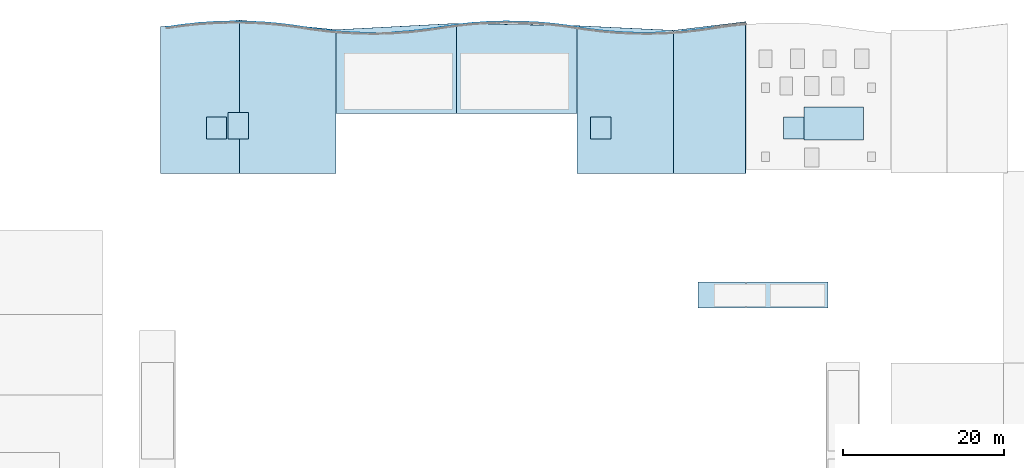
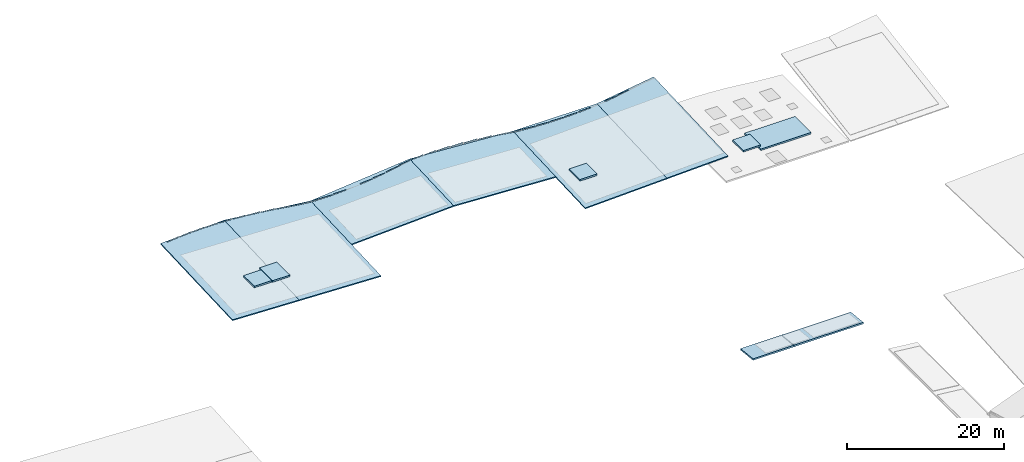
# One storey, part 4 of 11: 32 plates, 13 slabs.
"""IFC4 building model written with IfcOpenShell, lengths in metres."""

import ifcopenshell
import ifcopenshell.guid

model = None  # the IFC model being written
_history = None  # IfcOwnerHistory: only IFC2X3 demands one
_inside = {}  # id of a spatial element -> (the spatial element, [elements in it])
_under = {}  # id of a project, library or spatial element -> (it, [spatial elements below it])
_declared = {}  # id of a project -> (the project, [libraries it declares])
_typed = {}  # id of a type object -> (the type object, [elements of that type])
_made_of = {}  # id of a material, layer set ... -> (it, [elements and type objects made of it])


def new_model(schema):
    """Start an empty IFC model of exactly this schema.

    Asked for "IFC4X3", IfcOpenShell would pick the latest addendum, in which some entities
    have other attributes; the version numbers below select the first issue.
    IFC2X3 requires an IfcOwnerHistory on every rooted entity: one is made here for all.
    """
    global model, _history
    if schema == "IFC4X3":
        model = ifcopenshell.file(schema_version=(4, 3, 0, 0))
    else:
        model = ifcopenshell.file(schema=schema)
    _inside.clear()
    _under.clear()
    _declared.clear()
    _typed.clear()
    _made_of.clear()
    _history = None
    if model.schema == "IFC2X3":
        org = make("IfcOrganization", Name="unknown")
        user = make(
            "IfcPersonAndOrganization",
            ThePerson=make("IfcPerson", FamilyName="unknown"),
            TheOrganization=org,
        )
        app = make(
            "IfcApplication",
            ApplicationDeveloper=org,
            Version="unknown",
            ApplicationFullName="unknown",
            ApplicationIdentifier="unknown",
        )
        _history = make(
            "IfcOwnerHistory",
            OwningUser=user,
            OwningApplication=app,
            ChangeAction="ADDED",
            CreationDate=0,
        )
    return model


def make(cls, **values):
    """One entity of the class cls with the attributes given. An attribute that is None is left unset."""
    return model.create_entity(
        cls, **{name: value for name, value in values.items() if value is not None}
    )


def rooted(cls, **values):
    """An entity with a GlobalId (a new one), such as an element, a storey or a relation."""
    return make(cls, GlobalId=ifcopenshell.guid.new(), OwnerHistory=_history, **values)


def si_unit(unit_type, name, prefix=None):
    """IfcSIUnit, for example si_unit("LENGTHUNIT", "METRE", prefix="MILLI")."""
    return make("IfcSIUnit", UnitType=unit_type, Prefix=prefix, Name=name)


def assignment(units):
    """IfcUnitAssignment: the units of a project."""
    return None if units is None else make("IfcUnitAssignment", Units=units)


def point(xyz):
    """IfcCartesianPoint."""
    return None if xyz is None else make("IfcCartesianPoint", Coordinates=xyz)


def direction(xyz):
    """IfcDirection."""
    return None if xyz is None else make("IfcDirection", DirectionRatios=xyz)


def frame(location, z_axis=None, x_axis=None):
    """IfcAxis2Placement3D, a coordinate frame: its origin and axes. An axis left out is left unset."""
    return make(
        "IfcAxis2Placement3D",
        Location=point(location),
        Axis=direction(z_axis),
        RefDirection=direction(x_axis),
    )


def frame_2d(location, x_axis=None):
    """IfcAxis2Placement2D, a coordinate frame in the plane: its origin and x axis."""
    return make(
        "IfcAxis2Placement2D", Location=point(location), RefDirection=direction(x_axis)
    )


def origin():
    """The frame at (0, 0, 0) with its axes left unset."""
    return frame((0.0, 0.0, 0.0))


def origin_2d():
    """The frame at (0, 0) in the plane with its x axis left unset."""
    return frame_2d((0.0, 0.0))


def place(relative_to, where):
    """IfcLocalPlacement: puts the frame where relative to a parent placement (None: the world)."""
    return make(
        "IfcLocalPlacement", PlacementRelTo=relative_to, RelativePlacement=where
    )


def context(
    kind, dimensions, precision=None, world=None, true_north=None, identifier=None
):
    """IfcGeometricRepresentationContext, for example the 3D "Model" context."""
    return make(
        "IfcGeometricRepresentationContext",
        ContextIdentifier=identifier,
        ContextType=kind,
        CoordinateSpaceDimension=dimensions,
        Precision=precision,
        WorldCoordinateSystem=world,
        TrueNorth=true_north,
    )


def subcontext(parent, identifier, kind, view, scale=None):
    """IfcGeometricRepresentationSubContext, for example "Body" below "Model"."""
    return make(
        "IfcGeometricRepresentationSubContext",
        ContextIdentifier=identifier,
        ContextType=kind,
        ParentContext=parent,
        TargetScale=scale,
        TargetView=view,
    )


def project(units=None, contexts=None):
    """IfcProject with its units and contexts."""
    return rooted(
        "IfcProject",
        Name="project",
        RepresentationContexts=contexts,
        UnitsInContext=assignment(units),
    )


def spatial(cls, under=None, at=None, **own):
    """A site, building, storey or space (cls), placed at a placement, below another one or the project."""
    s = rooted(cls, ObjectPlacement=at, **own)
    if under is not None:
        _under.setdefault(under.id(), (under, []))[1].append(s)
    return s


def polyline(points):
    """IfcPolyline through the points."""
    return make("IfcPolyline", Points=[point(p) for p in points])


def profile(cls, at=None, kind="AREA", **sizes):
    """A parametric profile (cls). Its sizes go by their IFC names, for example OverallWidth=200.0."""
    return make(cls, ProfileType=kind, Position=at, **sizes)


def rectangle(**sizes):
    """IfcRectangleProfileDef."""
    return profile("IfcRectangleProfileDef", **sizes)


def outline(outer, holes=None, kind="AREA"):
    """IfcArbitraryClosedProfileDef: a profile drawn as a closed curve; with holes, ...WithVoids."""
    if holes is None:
        return make("IfcArbitraryClosedProfileDef", ProfileType=kind, OuterCurve=outer)
    return make(
        "IfcArbitraryProfileDefWithVoids",
        ProfileType=kind,
        OuterCurve=outer,
        InnerCurves=holes,
    )


def extrude(swept, where, along, depth):
    """IfcExtrudedAreaSolid: the profile swept, set in the frame where, extruded along a direction by depth."""
    return make(
        "IfcExtrudedAreaSolid",
        SweptArea=swept,
        Position=where,
        ExtrudedDirection=direction(along),
        Depth=depth,
    )


def shape(context_of_items, identifier, shape_type, items):
    """IfcShapeRepresentation: the items that make up one representation, for example the "Body"."""
    return make(
        "IfcShapeRepresentation",
        ContextOfItems=context_of_items,
        RepresentationIdentifier=identifier,
        RepresentationType=shape_type,
        Items=items,
    )


def material(Name=None, Category=None):
    """IfcMaterial."""
    return make("IfcMaterial", Name=Name, Category=Category)


def layer(
    of_material, thickness, ventilated=None, Name=None, Category=None, Priority=None
):
    """IfcMaterialLayer: one layer of a wall or slab, of a material (None: an air gap)."""
    return make(
        "IfcMaterialLayer",
        Material=of_material,
        LayerThickness=thickness,
        IsVentilated=ventilated,
        Name=Name,
        Category=Category,
        Priority=Priority,
    )


def layer_set(layers, Name=None):
    """IfcMaterialLayerSet."""
    return make("IfcMaterialLayerSet", MaterialLayers=layers, LayerSetName=Name)


def made_of(thing, what):
    """Note that an element or type object is made of a material, layer set ...; save() writes the relation."""
    if what is not None:
        _made_of.setdefault(what.id(), (what, []))[1].append(thing)
    return thing


def type_object(cls, material=None, **own):
    """A type object (cls), such as IfcWallType, which elements share."""
    return made_of(rooted(cls, **own), material)


def element(
    cls,
    number,
    at=None,
    inside=None,
    cuts=None,
    type_object=None,
    material=None,
    context=None,
    identifier="Body",
    shape_type=None,
    held_by="IfcProductDefinitionShape",
    body=None,
    shapes=None,
    **own,
):
    """One element of the class cls, such as IfcWall. Its Tag is "e" and its number.

    at: its placement. inside: the storey or other place that contains it. cuts: it is an
    opening in that element (IfcRelVoidsElement). A single representation is given by context,
    identifier, shape_type and body (its items); several are given by shapes. held_by: the class
    of the entity that holds the representations. save() writes the other relations.
    """
    e = rooted(cls, Tag="e%d" % number, ObjectPlacement=at, **own)
    if body is not None:
        shapes = [shape(context, identifier, shape_type, body)]
    if shapes is not None:
        e.Representation = make(held_by, Representations=shapes)
    if inside is not None:
        _inside.setdefault(inside.id(), (inside, []))[1].append(e)
    if cuts is not None:
        rooted(
            "IfcRelVoidsElement", RelatingBuildingElement=cuts, RelatedOpeningElement=e
        )
    if type_object is not None:
        _typed.setdefault(type_object.id(), (type_object, []))[1].append(e)
    return made_of(e, material)


def aggregate(whole, parts):
    """IfcRelAggregates: a whole, such as a stair, and the parts it consists of."""
    return rooted("IfcRelAggregates", RelatingObject=whole, RelatedObjects=parts)


def save(model, path):
    """Write the relations noted so far, then the file.

    IfcRelAggregates (storeys below a building ...), IfcRelContainedInSpatialStructure (elements
    in a storey), IfcRelDefinesByType, IfcRelAssociatesMaterial and IfcRelDeclares: one each for
    every whole, place, type object, material and project.
    """
    for whole, parts in _under.values():
        aggregate(whole, parts)
    for where, things in _inside.values():
        rooted(
            "IfcRelContainedInSpatialStructure",
            RelatedElements=things,
            RelatingStructure=where,
        )
    for kind, things in _typed.values():
        rooted("IfcRelDefinesByType", RelatedObjects=things, RelatingType=kind)
    for what, things in _made_of.values():
        rooted("IfcRelAssociatesMaterial", RelatedObjects=things, RelatingMaterial=what)
    for by, libraries in _declared.values():
        rooted("IfcRelDeclares", RelatingContext=by, RelatedDefinitions=libraries)
    model.write(path)


model = new_model("IFC4")

# Units and contexts
model_context = context("Model", 3, precision=1e-05, world=origin(), true_north=direction((0.0, 1.0)))
body_context = subcontext(model_context, "Body", "Model", "MODEL_VIEW")
ifc_project = project(units=[si_unit("LENGTHUNIT", "METRE"), si_unit("AREAUNIT", "SQUARE_METRE"), si_unit("VOLUMEUNIT", "CUBIC_METRE"), si_unit("PLANEANGLEUNIT", "RADIAN"), si_unit("MASSUNIT", "GRAM", prefix="KILO")], contexts=[model_context])

# Site, building, storey
site_placement = place(None, origin())
site = spatial("IfcSite", under=ifc_project, at=site_placement, CompositionType="ELEMENT")
building_placement = place(site_placement, origin())
building = spatial("IfcBuilding", under=site, at=building_placement, Name="Tonlespit Floodbar School", CompositionType="ELEMENT")
storey_placement = place(building_placement, frame((0.0, 0.0, 24.0)))
storey = spatial("IfcBuildingStorey", under=building, at=storey_placement, Name="RF", CompositionType="ELEMENT", Elevation=24.0)

# Plates
ifc_material_1 = material(Name="White Architectural Aluminium", Category="aluminium")
ifc_layer_1 = layer(ifc_material_1, 0.06494140625)
ifc_layer_set_1 = layer_set([ifc_layer_1], Name="White Architectural Aluminium")
plate_type = type_object("IfcPlateType", Name="FacadeRibbon_White_65", PredefinedType="SHEET", material=ifc_layer_set_1)
plate_1_placement = place(storey_placement, frame((44.98828125, 121.77685546875, 0.641357421875), z_axis=(0.0, 0.0, 1.0), x_axis=(0.989537627347, 0.144275029245, 0.0)))
element("IfcPlate", 1, at=plate_1_placement, inside=storey, type_object=plate_type, Name="RF flowing white street spandrel ribbon 0381", PredefinedType="SHEET", context=body_context, shape_type="SweptSolid", body=[
    extrude(rectangle(XDim=1.861083984375, YDim=0.06494140625, at=origin_2d()), origin(), (0.0, 0.0, 1.0), 0.580078125),
])
plate_2_placement = place(storey_placement, frame((46.9912109375, 122.029541015625, 0.578857421875), z_axis=(0.0, 0.0, 1.0), x_axis=(0.99439234017, 0.105753835922, 0.0)))
element("IfcPlate", 2, at=plate_2_placement, inside=storey, type_object=plate_type, Name="RF flowing white street spandrel ribbon 0383", PredefinedType="SHEET", context=body_context, shape_type="SweptSolid", body=[
    extrude(rectangle(XDim=1.851318359375, YDim=0.06494140625, at=origin_2d()), origin(), (0.0, 0.0, 1.0), 0.580078125),
])
plate_3_placement = place(storey_placement, frame((48.994384765625, 122.20361328125, 0.51318359375), z_axis=(0.0, 0.0, 1.0), x_axis=(0.997729639049, 0.067346621018, 0.0)))
element("IfcPlate", 3, at=plate_3_placement, inside=storey, type_object=plate_type, Name="RF flowing white street spandrel ribbon 0385", PredefinedType="SHEET", context=body_context, shape_type="SweptSolid", body=[
    extrude(rectangle(XDim=1.844482421875, YDim=0.06494140625, at=origin_2d()), origin(), (0.0, 0.0, 1.0), 0.580078125),
])
plate_4_placement = place(storey_placement, frame((50.99755859375, 122.300048828125, 0.444091796875), z_axis=(0.0, 0.0, 1.0), x_axis=(0.999584110869, 0.02883756748, 0.0)))
element("IfcPlate", 4, at=plate_4_placement, inside=storey, type_object=plate_type, Name="RF flowing white street spandrel ribbon 0387", PredefinedType="SHEET", context=body_context, shape_type="SweptSolid", body=[
    extrude(rectangle(XDim=1.8408203125, YDim=0.06494140625, at=origin_2d()), origin(), (0.0, 0.0, 1.0), 0.580078125),
])
plate_5_placement = place(storey_placement, frame((53.000732421875, 122.3193359375, 0.371826171875), z_axis=(0.0, 0.0, 1.0), x_axis=(0.999953926969, -0.009599163462, 0.0)))
element("IfcPlate", 5, at=plate_5_placement, inside=storey, type_object=plate_type, Name="RF flowing white street spandrel ribbon 0389", PredefinedType="SHEET", context=body_context, shape_type="SweptSolid", body=[
    extrude(rectangle(XDim=1.840087890625, YDim=0.06494140625, at=origin_2d()), origin(), (0.0, 0.0, 1.0), 0.580078125),
])
plate_6_placement = place(storey_placement, frame((55.00390625, 122.26171875, 0.296142578125), z_axis=(0.0, 0.0, 1.0), x_axis=(0.998842769234, -0.048094930587, 0.0)))
element("IfcPlate", 6, at=plate_6_placement, inside=storey, type_object=plate_type, Name="RF flowing white street spandrel ribbon 0391", PredefinedType="SHEET", context=body_context, shape_type="SweptSolid", body=[
    extrude(rectangle(XDim=1.84228515625, YDim=0.06494140625, at=origin_2d()), origin(), (0.0, 0.0, 1.0), 0.580078125),
])
plate_7_placement = place(storey_placement, frame((57.007080078125, 122.126220703125, 0.217041015625), z_axis=(0.0, 0.0, 1.0), x_axis=(0.996245486492, -0.086573267488, 0.0)))
element("IfcPlate", 7, at=plate_7_placement, inside=storey, type_object=plate_type, Name="RF flowing white street spandrel ribbon 0393", PredefinedType="SHEET", context=body_context, shape_type="SweptSolid", body=[
    extrude(rectangle(XDim=1.847412109375, YDim=0.06494140625, at=origin_2d()), origin(), (0.0, 0.0, 1.0), 0.580078125),
])
plate_8_placement = place(storey_placement, frame((59.01025390625, 121.9130859375, 0.134521484375), z_axis=(0.0, 0.0, 1.0), x_axis=(0.99215533612, -0.125011155539, 0.0)))
element("IfcPlate", 8, at=plate_8_placement, inside=storey, type_object=plate_type, Name="RF flowing white street spandrel ribbon 0395", PredefinedType="SHEET", context=body_context, shape_type="SweptSolid", body=[
    extrude(rectangle(XDim=1.855712890625, YDim=0.06494140625, at=origin_2d()), origin(), (0.0, 0.0, 1.0), 0.580078125),
])
plate_9_placement = place(storey_placement, frame((61.0126953125, 121.631103515625, 0.049560546875), z_axis=(0.0, 0.0, 1.0), x_axis=(0.988094768361, -0.153846445322, 0.0)))
element("IfcPlate", 9, at=plate_9_placement, inside=storey, type_object=plate_type, Name="RF flowing white street spandrel ribbon 0397", PredefinedType="SHEET", context=body_context, shape_type="SweptSolid", body=[
    extrude(rectangle(XDim=1.864013671875, YDim=0.06494140625, at=origin_2d()), origin(), (0.0, 0.0, 1.0), 0.580078125),
])
plate_10_placement = place(storey_placement, frame((63.01025390625, 121.349609375, -0.032958984375), z_axis=(0.0, 0.0, 1.0), x_axis=(0.99215533612, -0.125011155539, 0.0)))
element("IfcPlate", 10, at=plate_10_placement, inside=storey, type_object=plate_type, Name="RF flowing white street spandrel ribbon 0399", PredefinedType="SHEET", context=body_context, shape_type="SweptSolid", body=[
    extrude(rectangle(XDim=1.855712890625, YDim=0.06494140625, at=origin_2d()), origin(), (0.0, 0.0, 1.0), 0.580078125),
])
plate_11_placement = place(storey_placement, frame((65.007080078125, 121.13720703125, -0.032958984375), z_axis=(0.0, 0.0, 1.0), x_axis=(0.996245486492, -0.086573267488, 0.0)))
element("IfcPlate", 11, at=plate_11_placement, inside=storey, type_object=plate_type, Name="RF flowing white street spandrel ribbon 0401", PredefinedType="SHEET", context=body_context, shape_type="SweptSolid", body=[
    extrude(rectangle(XDim=1.847412109375, YDim=0.06494140625, at=origin_2d()), origin(), (0.0, 0.0, 1.0), 0.580078125),
])
plate_12_placement = place(storey_placement, frame((67.00390625, 121.002197265625, -0.02685546875), z_axis=(0.0, 0.0, 1.0), x_axis=(0.998842769234, -0.048094930587, 0.0)))
element("IfcPlate", 12, at=plate_12_placement, inside=storey, type_object=plate_type, Name="RF flowing white street spandrel ribbon 0403", PredefinedType="SHEET", context=body_context, shape_type="SweptSolid", body=[
    extrude(rectangle(XDim=1.84228515625, YDim=0.06494140625, at=origin_2d()), origin(), (0.0, 0.0, 1.0), 0.580078125),
])
plate_13_placement = place(storey_placement, frame((69.000732421875, 120.944580078125, 0.06787109375), z_axis=(0.0, 0.0, 1.0), x_axis=(0.999953926969, -0.009599163462, 0.0)))
element("IfcPlate", 13, at=plate_13_placement, inside=storey, type_object=plate_type, Name="RF flowing white street spandrel ribbon 0405", PredefinedType="SHEET", context=body_context, shape_type="SweptSolid", body=[
    extrude(rectangle(XDim=1.840087890625, YDim=0.06494140625, at=origin_2d()), origin(), (0.0, 0.0, 1.0), 0.580078125),
])
plate_14_placement = place(storey_placement, frame((72.994384765625, 121.06005859375, 0.2666015625), z_axis=(0.0, 0.0, 1.0), x_axis=(0.997729639049, 0.067346621018, 0.0)))
element("IfcPlate", 14, at=plate_14_placement, inside=storey, type_object=plate_type, Name="RF flowing white street spandrel ribbon 0409", PredefinedType="SHEET", context=body_context, shape_type="SweptSolid", body=[
    extrude(rectangle(XDim=1.844482421875, YDim=0.06494140625, at=origin_2d()), origin(), (0.0, 0.0, 1.0), 0.580078125),
])
plate_15_placement = place(storey_placement, frame((74.9912109375, 121.233642578125, 0.37109375), z_axis=(0.0, 0.0, 1.0), x_axis=(0.99439234017, 0.105753835922, 0.0)))
element("IfcPlate", 15, at=plate_15_placement, inside=storey, type_object=plate_type, Name="RF flowing white street spandrel ribbon 0411", PredefinedType="SHEET", context=body_context, shape_type="SweptSolid", body=[
    extrude(rectangle(XDim=1.851318359375, YDim=0.06494140625, at=origin_2d()), origin(), (0.0, 0.0, 1.0), 0.580078125),
])
for number, where, z_axis, x_axis, name in (
    (16, (76.98828125, 121.4853515625, 0.47900390625), (0.0, 0.0, 1.0), (0.989537627347, 0.144275029245, 0.0), "RF flowing white street spandrel ribbon 0413"),
    (17, (78.98828125, 121.77685546875, 0.59033203125), (0.0, 0.0, 1.0), (0.989537627347, 0.144275029245, 0.0), "RF flowing white street spandrel ribbon 0415"),
):
    element("IfcPlate", number, at=place(storey_placement, frame(where, z_axis=z_axis, x_axis=x_axis)), inside=storey, type_object=plate_type, Name=name, PredefinedType="SHEET", context=body_context, shape_type="SweptSolid", body=[
        extrude(rectangle(XDim=1.861083984375, YDim=0.06494140625, at=origin_2d()), origin(), (0.0, 0.0, 1.0), 0.580078125),
    ])
plate_16_placement = place(storey_placement, frame((80.9912109375, 122.029541015625, 0.612060546875), z_axis=(0.0, 0.0, 1.0), x_axis=(0.99439234017, 0.105753835922, 0.0)))
element("IfcPlate", 18, at=plate_16_placement, inside=storey, type_object=plate_type, Name="RF flowing white street spandrel ribbon 0417", PredefinedType="SHEET", context=body_context, shape_type="SweptSolid", body=[
    extrude(rectangle(XDim=1.851318359375, YDim=0.06494140625, at=origin_2d()), origin(), (0.0, 0.0, 1.0), 0.580078125),
])
plate_17_placement = place(storey_placement, frame((82.994384765625, 122.20361328125, 0.519287109375), z_axis=(0.0, 0.0, 1.0), x_axis=(0.997729639049, 0.067346621018, 0.0)))
element("IfcPlate", 19, at=plate_17_placement, inside=storey, type_object=plate_type, Name="RF flowing white street spandrel ribbon 0419", PredefinedType="SHEET", context=body_context, shape_type="SweptSolid", body=[
    extrude(rectangle(XDim=1.844482421875, YDim=0.06494140625, at=origin_2d()), origin(), (0.0, 0.0, 1.0), 0.580078125),
])
plate_18_placement = place(storey_placement, frame((84.99755859375, 122.300048828125, 0.423095703125), z_axis=(0.0, 0.0, 1.0), x_axis=(0.999584110869, 0.02883756748, 0.0)))
element("IfcPlate", 20, at=plate_18_placement, inside=storey, type_object=plate_type, Name="RF flowing white street spandrel ribbon 0421", PredefinedType="SHEET", context=body_context, shape_type="SweptSolid", body=[
    extrude(rectangle(XDim=1.8408203125, YDim=0.06494140625, at=origin_2d()), origin(), (0.0, 0.0, 1.0), 0.580078125),
])
plate_19_placement = place(storey_placement, frame((87.000732421875, 122.3193359375, 0.323486328125), z_axis=(0.0, 0.0, 1.0), x_axis=(0.999953926969, -0.009599163462, 0.0)))
element("IfcPlate", 21, at=plate_19_placement, inside=storey, type_object=plate_type, Name="RF flowing white street spandrel ribbon 0423", PredefinedType="SHEET", context=body_context, shape_type="SweptSolid", body=[
    extrude(rectangle(XDim=1.840087890625, YDim=0.06494140625, at=origin_2d()), origin(), (0.0, 0.0, 1.0), 0.580078125),
])
plate_20_placement = place(storey_placement, frame((89.00390625, 122.26171875, 0.220703125), z_axis=(0.0, 0.0, 1.0), x_axis=(0.998842769234, -0.048094930587, 0.0)))
element("IfcPlate", 22, at=plate_20_placement, inside=storey, type_object=plate_type, Name="RF flowing white street spandrel ribbon 0425", PredefinedType="SHEET", context=body_context, shape_type="SweptSolid", body=[
    extrude(rectangle(XDim=1.84228515625, YDim=0.06494140625, at=origin_2d()), origin(), (0.0, 0.0, 1.0), 0.580078125),
])
plate_21_placement = place(storey_placement, frame((91.007080078125, 122.126220703125, 0.114501953125), z_axis=(0.0, 0.0, 1.0), x_axis=(0.996245486492, -0.086573267488, 0.0)))
element("IfcPlate", 23, at=plate_21_placement, inside=storey, type_object=plate_type, Name="RF flowing white street spandrel ribbon 0427", PredefinedType="SHEET", context=body_context, shape_type="SweptSolid", body=[
    extrude(rectangle(XDim=1.847412109375, YDim=0.06494140625, at=origin_2d()), origin(), (0.0, 0.0, 1.0), 0.580078125),
])
plate_22_placement = place(storey_placement, frame((93.01025390625, 121.9130859375, 0.0048828125), z_axis=(0.0, 0.0, 1.0), x_axis=(0.99215533612, -0.125011155539, 0.0)))
element("IfcPlate", 24, at=plate_22_placement, inside=storey, type_object=plate_type, Name="RF flowing white street spandrel ribbon 0429", PredefinedType="SHEET", context=body_context, shape_type="SweptSolid", body=[
    extrude(rectangle(XDim=1.855712890625, YDim=0.06494140625, at=origin_2d()), origin(), (0.0, 0.0, 1.0), 0.580078125),
])
plate_23_placement = place(storey_placement, frame((95.0126953125, 121.631103515625, -0.02099609375), z_axis=(0.0, 0.0, 1.0), x_axis=(0.988094768361, -0.153846445322, 0.0)))
element("IfcPlate", 25, at=plate_23_placement, inside=storey, type_object=plate_type, Name="RF flowing white street spandrel ribbon 0431", PredefinedType="SHEET", context=body_context, shape_type="SweptSolid", body=[
    extrude(rectangle(XDim=1.864013671875, YDim=0.06494140625, at=origin_2d()), origin(), (0.0, 0.0, 1.0), 0.580078125),
])
plate_24_placement = place(storey_placement, frame((97.01025390625, 121.349609375, -0.02099609375), z_axis=(0.0, 0.0, 1.0), x_axis=(0.99215533612, -0.125011155539, 0.0)))
element("IfcPlate", 26, at=plate_24_placement, inside=storey, type_object=plate_type, Name="RF flowing white street spandrel ribbon 0433", PredefinedType="SHEET", context=body_context, shape_type="SweptSolid", body=[
    extrude(rectangle(XDim=1.855712890625, YDim=0.06494140625, at=origin_2d()), origin(), (0.0, 0.0, 1.0), 0.580078125),
])
plate_25_placement = place(storey_placement, frame((99.007080078125, 121.13720703125, 0.04150390625), z_axis=(0.0, 0.0, 1.0), x_axis=(0.996245486492, -0.086573267488, 0.0)))
element("IfcPlate", 27, at=plate_25_placement, inside=storey, type_object=plate_type, Name="RF flowing white street spandrel ribbon 0435", PredefinedType="SHEET", context=body_context, shape_type="SweptSolid", body=[
    extrude(rectangle(XDim=1.847412109375, YDim=0.06494140625, at=origin_2d()), origin(), (0.0, 0.0, 1.0), 0.580078125),
])
plate_26_placement = place(storey_placement, frame((101.00390625, 121.002197265625, 0.107421875), z_axis=(0.0, 0.0, 1.0), x_axis=(0.998842769234, -0.048094930587, 0.0)))
element("IfcPlate", 28, at=plate_26_placement, inside=storey, type_object=plate_type, Name="RF flowing white street spandrel ribbon 0437", PredefinedType="SHEET", context=body_context, shape_type="SweptSolid", body=[
    extrude(rectangle(XDim=1.84228515625, YDim=0.06494140625, at=origin_2d()), origin(), (0.0, 0.0, 1.0), 0.580078125),
])
plate_27_placement = place(storey_placement, frame((103.000732421875, 120.944580078125, 0.176513671875), z_axis=(0.0, 0.0, 1.0), x_axis=(0.999953926969, -0.009599163462, 0.0)))
element("IfcPlate", 29, at=plate_27_placement, inside=storey, type_object=plate_type, Name="RF flowing white street spandrel ribbon 0439", PredefinedType="SHEET", context=body_context, shape_type="SweptSolid", body=[
    extrude(rectangle(XDim=1.840087890625, YDim=0.06494140625, at=origin_2d()), origin(), (0.0, 0.0, 1.0), 0.580078125),
])
plate_28_placement = place(storey_placement, frame((104.99755859375, 120.9638671875, 0.249267578125), z_axis=(0.0, 0.0, 1.0), x_axis=(0.999584110869, 0.02883756748, 0.0)))
element("IfcPlate", 30, at=plate_28_placement, inside=storey, type_object=plate_type, Name="RF flowing white street spandrel ribbon 0441", PredefinedType="SHEET", context=body_context, shape_type="SweptSolid", body=[
    extrude(rectangle(XDim=1.8408203125, YDim=0.06494140625, at=origin_2d()), origin(), (0.0, 0.0, 1.0), 0.580078125),
])
plate_29_placement = place(storey_placement, frame((108.9912109375, 121.233642578125, 0.404296875), z_axis=(0.0, 0.0, 1.0), x_axis=(0.99439234017, 0.105753835922, 0.0)))
element("IfcPlate", 31, at=plate_29_placement, inside=storey, type_object=plate_type, Name="RF flowing white street spandrel ribbon 0445", PredefinedType="SHEET", context=body_context, shape_type="SweptSolid", body=[
    extrude(rectangle(XDim=1.851318359375, YDim=0.06494140625, at=origin_2d()), origin(), (0.0, 0.0, 1.0), 0.580078125),
])
plate_30_placement = place(storey_placement, frame((110.98828125, 121.4853515625, 0.48681640625), z_axis=(0.0, 0.0, 1.0), x_axis=(0.989537627347, 0.144275029245, 0.0)))
element("IfcPlate", 32, at=plate_30_placement, inside=storey, type_object=plate_type, Name="RF flowing white street spandrel ribbon 0447", PredefinedType="SHEET", context=body_context, shape_type="SweptSolid", body=[
    extrude(rectangle(XDim=1.861083984375, YDim=0.06494140625, at=origin_2d()), origin(), (0.0, 0.0, 1.0), 0.580078125),
])

# Slabs
ifc_material_2 = material(Name="CLT C24", Category="wood")
ifc_layer_2 = layer(ifc_material_2, 0.23193359375)
ifc_layer_set_2 = layer_set([ifc_layer_2], Name="CLT C24")
slab_type_1 = type_object("IfcSlabType", Name="Slab_Canopy_CLT_140", PredefinedType="ROOF", material=ifc_layer_set_2)
slab_1_placement = place(storey_placement, frame((110.0, 86.800048828125, -18.91796875), z_axis=(0.0, 0.108758209063, 0.994068233051), x_axis=(1.0, 0.0, 0.0)))
element("IfcSlab", 33, at=slab_1_placement, inside=storey, type_object=slab_type_1, Name="V5 north-east square west colonnade canopy", PredefinedType="ROOF", context=body_context, shape_type="SweptSolid", body=[
    extrude(outline(polyline([(0.0, 0.0), (5.9599609375, 0.0), (5.9599609375, 3.219045801366599), (0.0, 3.219045801366599), (0.0, 0.0)])), origin(), (0.0, 0.0, -1.0), 0.23193359375),
])
slab_2_placement = place(storey_placement, frame((116.0400390625, 86.800048828125, -18.91796875), z_axis=(0.0, 0.108758209063, 0.994068233051), x_axis=(1.0, 0.0, 0.0)))
element("IfcSlab", 34, at=slab_2_placement, inside=storey, type_object=slab_type_1, Name="V5 north-east square east colonnade canopy", PredefinedType="ROOF", context=body_context, shape_type="SweptSolid", body=[
    extrude(outline(polyline([(0.0, 0.0), (10.159912109375, 0.0), (10.159912109375, 3.219045801366599), (0.0, 3.219045801366599), (0.0, 0.0)])), origin(), (0.0, 0.0, -1.0), 0.23193359375),
])
ifc_layer_3 = layer(ifc_material_2, 0.169921875)
ifc_layer_set_3 = layer_set([ifc_layer_3], Name="CLT C24")
slab_type_2 = type_object("IfcSlabType", Name="Slab_Roof_CLT_170", PredefinedType="ROOF", material=ifc_layer_set_3)
slab_3_placement = place(storey_placement, frame((43.199951171875, 103.5, 0.39990234375), z_axis=(0.035724601393, -0.04309558006, 0.998432032657), x_axis=(0.999360485042, 2.9272e-07, -0.035757809438)))
element("IfcSlab", 35, at=slab_3_placement, inside=storey, type_object=slab_type_2, Name="V1 west raked roof bay 1", PredefinedType="ROOF", context=body_context, shape_type="SweptSolid", body=[
    extrude(outline(polyline([(0.0, 0.0), (9.806317735458624, -5.204170427930421e-18), (9.776851068506524, 19.114679384079714), (-0.02820106750929825, 18.290677401407446), (0.0, 0.0)])), origin(), (0.0, 0.0, -1.0), 0.169921875),
])
slab_4_placement = place(storey_placement, frame((53.0, 103.5, 0.04931640625), z_axis=(0.035717399525, -0.043087808633, 0.998432625728), x_axis=(0.999360743377, 2.95291e-07, -0.03575058877)))
element("IfcSlab", 36, at=slab_4_placement, inside=storey, type_object=slab_type_2, Name="V1 west raked roof bay 2", PredefinedType="ROOF", context=body_context, shape_type="SweptSolid", body=[
    extrude(outline(polyline([(0.0, 0.0), (12.007673045290822, 3.469446951953614e-18), (11.980071124593747, 17.91238384125226), (-0.029460666443587486, 19.114679393267906), (0.0, 0.0)])), origin(), (0.0, 0.0, -1.0), 0.169921875),
])
slab_5_placement = place(storey_placement, frame((65.0, 111.0, -0.056396484375), z_axis=(-0.049229233067, -0.043075532532, 0.997858196894), x_axis=(0.9987852511, -9.5153e-08, 0.049274965085)))
element("IfcSlab", 37, at=slab_5_placement, inside=storey, type_object=slab_type_2, Name="V1 central butterfly roof bay 1", PredefinedType="ROOF", context=body_context, shape_type="SweptSolid", body=[
    extrude(outline(polyline([(0.0, 0.0), (15.018241759469374, -6.938893903907228e-18), (15.042048105658932, 11.202049357030436), (0.02211018899276708, 10.405408634115673), (0.0, 0.0)])), origin(), (0.0, 0.0, -1.0), 0.169921875),
])
slab_6_placement = place(storey_placement, frame((80.0, 111.0, 0.68359375), z_axis=(0.049230401078, -0.043073968147, 0.9978582068), x_axis=(0.998785193693, 1.45378e-07, -0.049276128691)))
element("IfcSlab", 38, at=slab_6_placement, inside=storey, type_object=slab_type_2, Name="V1 central butterfly roof bay 2", PredefinedType="ROOF", context=body_context, shape_type="SweptSolid", body=[
    extrude(outline(polyline([(0.0, 0.0), (15.01824175942048, 0.0), (14.995060946571742, 10.910025912279602), (-0.023806346287428084, 11.202049356964677), (0.0, 0.0)])), origin(), (0.0, 0.0, -1.0), 0.169921875),
])
slab_7_placement = place(storey_placement, frame((95.0, 103.5, -0.3798828125), z_axis=(-0.036631047699, -0.043085347755, 0.998399628983), x_axis=(0.999327609866, -3.28254e-07, 0.036665080933)))
element("IfcSlab", 39, at=slab_7_placement, inside=storey, type_object=slab_type_2, Name="V1 east raked roof bay 1", PredefinedType="ROOF", context=body_context, shape_type="SweptSolid", body=[
    extrude(outline(polyline([(0.0, 0.0), (12.008070757091167, -3.469446951953614e-18), (12.036261930759869, 17.835169289473676), (0.029104029304261102, 18.417000525761136), (0.0, 0.0)])), origin(), (0.0, 0.0, -1.0), 0.169921875),
])
slab_8_placement = place(storey_placement, frame((107.0, 103.5, 0.060302734375), z_axis=(-0.036639934654, -0.043088296437, 0.99839917563), x_axis=(0.999327282479, 1.85481e-07, 0.036674002958)))
element("IfcSlab", 40, at=slab_8_placement, inside=storey, type_object=slab_type_2, Name="V1 east raked roof bay 2", PredefinedType="ROOF", context=body_context, shape_type="SweptSolid", body=[
    extrude(outline(polyline([(0.0, 0.0), (8.965993932853097, 1.734723475976807e-18), (8.99591146299048, 18.918447403593014), (0.028207189121320232, 17.835169264344525), (0.0, 0.0)])), origin(), (0.0, 0.0, -1.0), 0.169921875),
])
ifc_layer_4 = layer(ifc_material_2, 0.24609375)
ifc_layer_set_4 = layer_set([ifc_layer_4], Name="CLT C24")
slab_type_3 = type_object("IfcSlabType", Name="Slab_Roof_CLT_246", PredefinedType="ROOF", material=ifc_layer_set_4)
slab_9_placement = place(storey_placement, frame((0.0, 0.0, 0.69140625)))
element("IfcSlab", 41, at=slab_9_placement, inside=storey, type_object=slab_type_3, Name="Lift LF-FF1 overrun roof slab", PredefinedType="ROOF", context=body_context, shape_type="SweptSolid", body=[
    extrude(outline(polyline([(51.580078125, 107.780029296875), (54.1201171875, 107.780029296875), (54.1201171875, 111.1201171875), (51.580078125, 111.1201171875), (51.580078125, 107.780029296875)])), origin(), (0.0, 0.0, 1.0), 0.24609375),
])
slab_10_placement = place(storey_placement, frame((0.0, 0.0, 0.775146484375)))
element("IfcSlab", 42, at=slab_10_placement, inside=storey, type_object=slab_type_3, Name="Lift LP-1 overrun roof slab", PredefinedType="ROOF", context=body_context, shape_type="SweptSolid", body=[
    extrude(outline(polyline([(48.8798828125, 107.780029296875), (51.419921875, 107.780029296875), (51.419921875, 110.52001953125), (48.8798828125, 110.52001953125), (48.8798828125, 107.780029296875)])), origin(), (0.0, 0.0, 1.0), 0.24609375),
])
slab_11_placement = place(storey_placement, frame((0.0, 0.0, 0.60009765625)))
element("IfcSlab", 43, at=slab_11_placement, inside=storey, type_object=slab_type_3, Name="Lift LP-2 overrun roof slab", PredefinedType="ROOF", context=body_context, shape_type="SweptSolid", body=[
    extrude(outline(polyline([(96.679931640625, 107.780029296875), (99.219970703125, 107.780029296875), (99.219970703125, 110.52001953125), (96.679931640625, 110.52001953125), (96.679931640625, 107.780029296875)])), origin(), (0.0, 0.0, 1.0), 0.245849609375),
])
slab_12_placement = place(storey_placement, frame((0.0, 0.0, -3.89990234375)))
element("IfcSlab", 44, at=slab_12_placement, inside=storey, type_object=slab_type_3, Name="Core C4 stair head roof slab", PredefinedType="ROOF", context=body_context, shape_type="SweptSolid", body=[
    extrude(outline(polyline([(123.199951171875, 107.699951171875), (130.60009765625, 107.699951171875), (130.60009765625, 111.800048828125), (123.199951171875, 111.800048828125), (123.199951171875, 107.699951171875)])), origin(), (0.0, 0.0, 1.0), 0.245849609375),
])
slab_13_placement = place(storey_placement, frame((0.0, 0.0, -3.300048828125)))
element("IfcSlab", 45, at=slab_13_placement, inside=storey, type_object=slab_type_3, Name="Lift LP-3 overrun roof slab", PredefinedType="ROOF", context=body_context, shape_type="SweptSolid", body=[
    extrude(outline(polyline([(120.679931640625, 107.780029296875), (123.219970703125, 107.780029296875), (123.219970703125, 110.52001953125), (120.679931640625, 110.52001953125), (120.679931640625, 107.780029296875)])), origin(), (0.0, 0.0, 1.0), 0.24609375),
])

save(model, "model.ifc")
